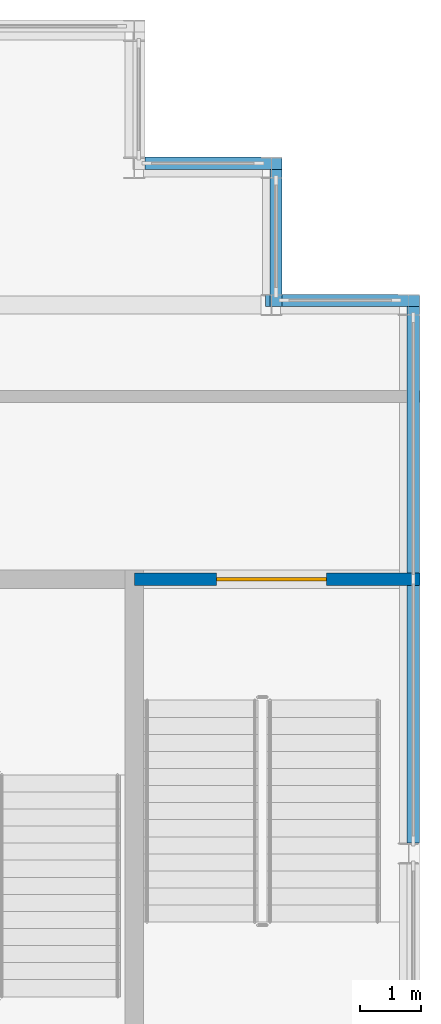
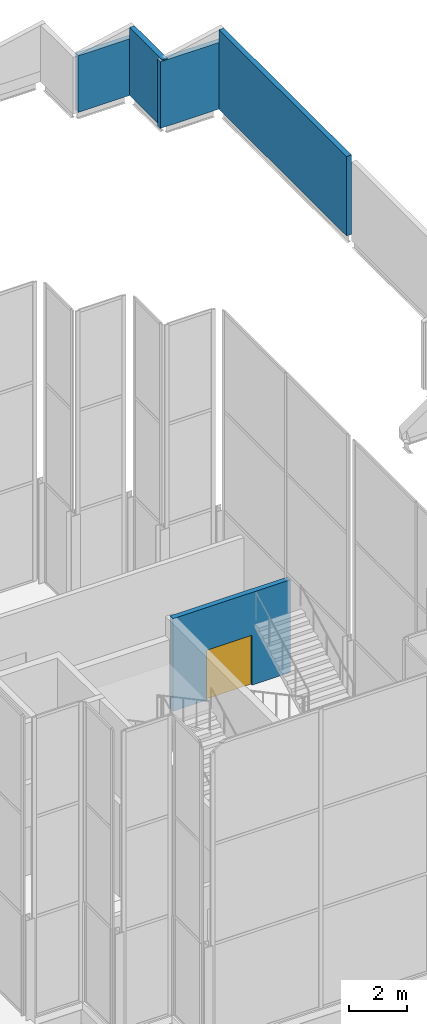
# One storey, part 16 of 23: 5 walls, 1 door, 1 opening.
"""IFC4 building model written with IfcOpenShell, lengths in metres."""

from ifc_helpers import new_model, si_unit, direction, frame, frame_2d, origin, place, context, subcontext, project, spatial, rectangle, extrude, material, layer, layer_set, type_object, element, fill, save


model = new_model("IFC4")

# Units and contexts
model_context = context("Model", 3, precision=1e-05, world=origin(), true_north=direction((0.0, 1.0)))
body_context = subcontext(model_context, "Body", "Model", "MODEL_VIEW")
ifc_project = project(units=[si_unit("LENGTHUNIT", "METRE"), si_unit("AREAUNIT", "SQUARE_METRE"), si_unit("VOLUMEUNIT", "CUBIC_METRE"), si_unit("PLANEANGLEUNIT", "RADIAN"), si_unit("MASSUNIT", "GRAM", prefix="KILO")], contexts=[model_context])

# Site, building, storey
site_placement = place(None, origin())
site = spatial("IfcSite", under=ifc_project, at=site_placement, CompositionType="ELEMENT")
building_placement = place(site_placement, origin())
building = spatial("IfcBuilding", under=site, at=building_placement, Name="Caravel Reach Hotel and Residences", CompositionType="ELEMENT")
storey_placement = place(building_placement, frame((0.0, 0.0, 312.800048828125)))
storey = spatial("IfcBuildingStorey", under=building, at=storey_placement, Name="L79", CompositionType="ELEMENT", Elevation=312.800048828125)

# Walls
ifc_material_1 = material(Name="Insulated rainscreen wall, aluminium cladding", Category="aluminium")
ifc_layer_1 = layer(ifc_material_1, 0.199951171875)
ifc_layer_set_1 = layer_set([ifc_layer_1], Name="EW4 Crown gable cladding 200")
wall_type_1 = type_object("IfcWallType", Name="EW4 Crown gable cladding 200", PredefinedType="SOLIDWALL", material=ifc_layer_set_1)
wall_1_placement = place(storey_placement, frame((49.574951171875, 27.175048828125, 21.0), z_axis=(0.0, 0.0, 1.0), x_axis=(0.0, 1.0, 0.0)))
element("IfcWall", 1, at=wall_1_placement, inside=storey, type_object=wall_type_1, Name="Crown cladding east 5.2", PredefinedType="SOLIDWALL", context=body_context, shape_type="SweptSolid", body=[
    extrude(rectangle(XDim=8.800048828125, YDim=0.199951171875, at=frame_2d((4.39990234375, 0.0))), origin(), (0.0, 0.0, 1.0), 3.341796875),
])
wall_2_placement = place(storey_placement, frame((49.675048828125, 36.074951171875, 21.0), z_axis=(0.0, 0.0, 1.0), x_axis=(-1.0, 0.0, 0.0)))
element("IfcWall", 2, at=wall_2_placement, inside=storey, type_object=wall_type_1, Name="Crown cladding east 6.1", PredefinedType="SOLIDWALL", context=body_context, shape_type="SweptSolid", body=[
    extrude(rectangle(XDim=2.525146484375, YDim=0.199951171875, at=frame_2d((1.2626953125, 0.0))), origin(), (0.0, 0.0, 1.0), 2.806396484375),
])
wall_3_placement = place(storey_placement, frame((47.324951171875, 35.97509765625, 21.0), z_axis=(0.0, 0.0, 1.0), x_axis=(0.0, 1.0, 0.0)))
element("IfcWall", 3, at=wall_3_placement, inside=storey, type_object=wall_type_1, Name="Crown cladding east 7.1", PredefinedType="SOLIDWALL", context=body_context, shape_type="SweptSolid", body=[
    extrude(rectangle(XDim=2.25, YDim=0.199951171875, at=frame_2d((1.125, 0.0))), origin(), (0.0, 0.0, 1.0), 2.86376953125),
])
wall_4_placement = place(storey_placement, frame((47.425048828125, 38.324951171875, 21.0), z_axis=(0.0, 0.0, 1.0), x_axis=(-1.0, 0.0, 0.0)))
element("IfcWall", 4, at=wall_4_placement, inside=storey, type_object=wall_type_1, Name="Crown cladding east 8.1", PredefinedType="SOLIDWALL", context=body_context, shape_type="SweptSolid", body=[
    extrude(rectangle(XDim=2.25, YDim=0.199951171875, at=frame_2d((1.125, 0.0))), origin(), (0.0, 0.0, 1.0), 2.38671875),
])

# Wall, opening, door
ifc_material_2 = material(Name="Concrete C60", Category="concrete")
ifc_layer_2 = layer(ifc_material_2, 0.199951171875)
ifc_layer_set_2 = layer_set([ifc_layer_2], Name="Stair enclosure wall 200 mm EI 120")
wall_type_2 = type_object("IfcWallType", Name="Stair enclosure wall 200 mm EI 120", PredefinedType="SHEAR", material=ifc_layer_set_2)
wall_5_placement = place(storey_placement, frame((45.0, 31.5, 0.0), z_axis=(0.0, 0.0, 1.0), x_axis=(1.0, 0.0, 0.0)))
wall_5 = element("IfcWall", 5, at=wall_5_placement, inside=storey, type_object=wall_type_2, Name="L79 wall w018", PredefinedType="SHEAR", context=body_context, shape_type="SweptSolid", body=[
    extrude(rectangle(XDim=4.68994140625, YDim=0.199951171875, at=frame_2d((2.344970703125, 0.0))), origin(), (0.0, 0.0, 1.0), 3.89990234375),
])
opening_placement = place(wall_5_placement, frame((1.35009765625, 0.0, 0.0)))
opening = element("IfcOpeningElement", 6, at=opening_placement, cuts=wall_5, Name="Opening D79-010", PredefinedType="OPENING", context=body_context, shape_type="SweptSolid", body=[
    extrude(rectangle(XDim=1.800048828125, YDim=2.10009765625, at=frame_2d((0.89990234375, 1.050048828125))), frame((0.0, 0.10986328125, 0.0), z_axis=(0.0, -1.0, 0.0), x_axis=(1.0, 0.0, 0.0)), (0.0, 0.0, 1.0), 0.219970703125),
])
ifc_material_3 = material(Name="Steel fire door leaf", Category="steel")
door_type = type_object("IfcDoorType", Name="Stair door pair 1800 x 2100 EI 90", OperationType="DOUBLE_DOOR_SINGLE_SWING", PredefinedType="DOOR", material=ifc_material_3)
door_placement = place(opening_placement, origin())
door = element("IfcDoor", 7, at=door_placement, inside=storey, type_object=door_type, Name="door D79-010", OperationType="DOUBLE_DOOR_SINGLE_SWING", OverallHeight=2.10009765625, OverallWidth=1.800048828125, PredefinedType="DOOR", context=body_context, shape_type="SweptSolid", body=[
    extrude(rectangle(XDim=1.800048828125, YDim=2.10009765625, at=frame_2d((0.89990234375, 1.050048828125))), frame((0.0, 0.02490234375, 0.0), z_axis=(0.0, -1.0, 0.0), x_axis=(1.0, 0.0, 0.0)), (0.0, 0.0, 1.0), 0.050048828125),
])
fill(opening, door)

save(model, "model.ifc")
